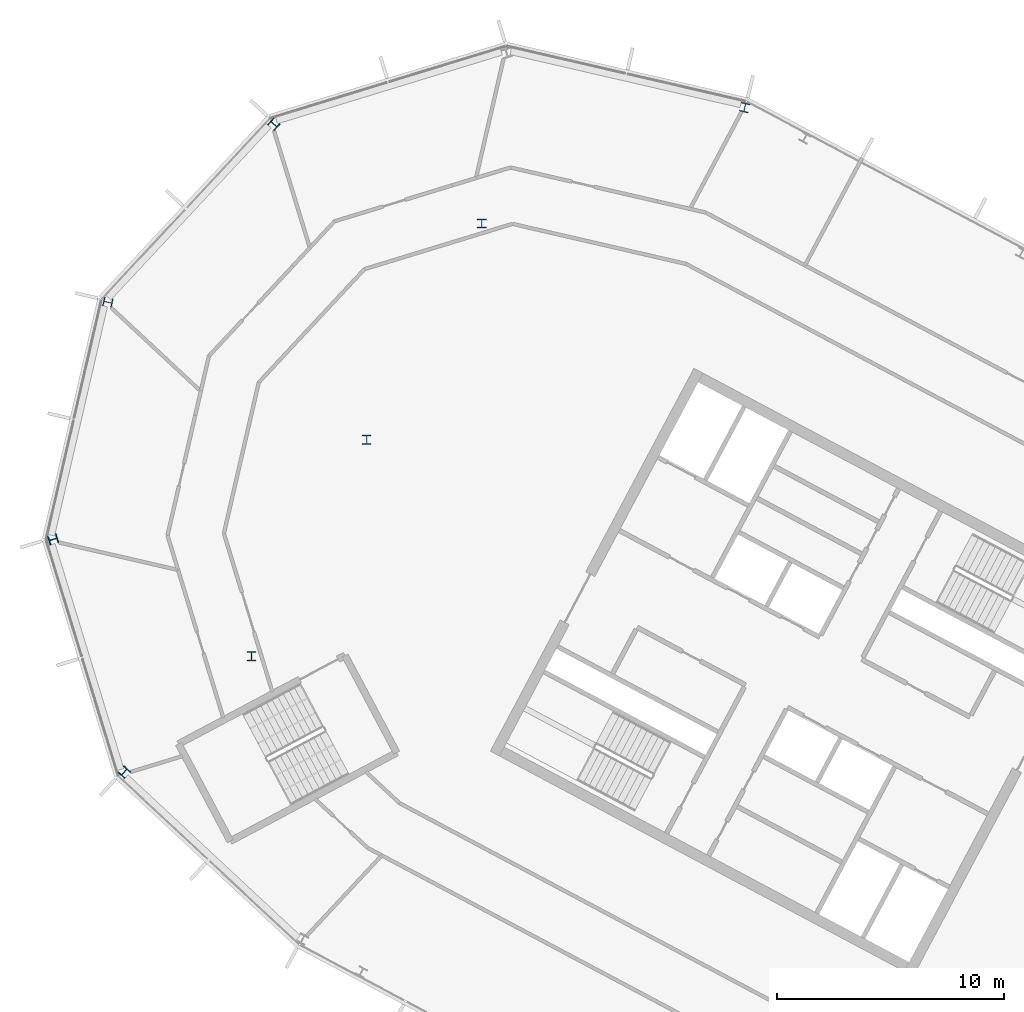
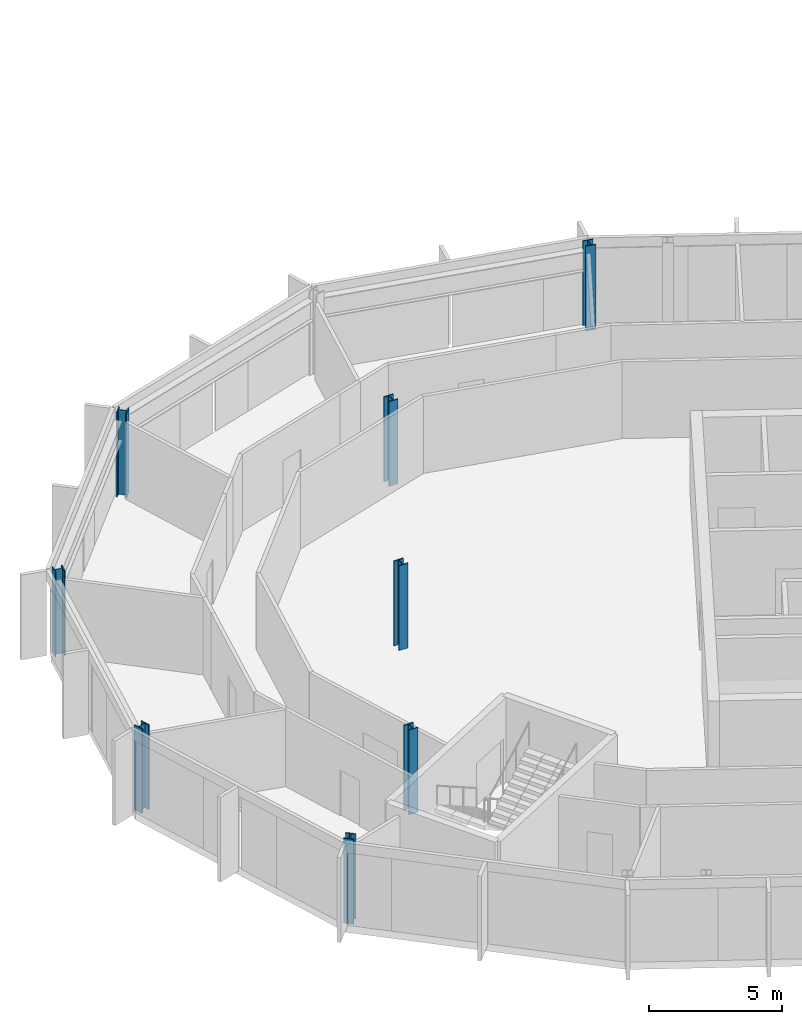
# One storey, part 3 of 26: 8 columns.
"""IFC4 building model written with IfcOpenShell, lengths in metres."""

from ifc_helpers import new_model, si_unit, direction, frame, origin, origin_2d, place, context, subcontext, project, spatial, i_section, extrude, material, material_profile, profile_set, type_object, element, save


model = new_model("IFC4")

# Units and contexts
model_context = context("Model", 3, precision=1e-05, world=origin(), true_north=direction((0.0, 1.0)))
body_context = subcontext(model_context, "Body", "Model", "MODEL_VIEW")
ifc_project = project(units=[si_unit("LENGTHUNIT", "METRE"), si_unit("AREAUNIT", "SQUARE_METRE"), si_unit("VOLUMEUNIT", "CUBIC_METRE"), si_unit("PLANEANGLEUNIT", "RADIAN"), si_unit("MASSUNIT", "GRAM", prefix="KILO")], contexts=[model_context])

# Site, building, storey
site_placement = place(None, origin())
site = spatial("IfcSite", under=ifc_project, at=site_placement, CompositionType="ELEMENT")
building_placement = place(site_placement, origin())
building = spatial("IfcBuilding", under=site, at=building_placement, Name="Cormorant Relay Tower", CompositionType="ELEMENT")
storey_placement = place(building_placement, frame((0.0, 0.0, 312.60009765625)))
storey = spatial("IfcBuildingStorey", under=building, at=storey_placement, Name="L71", CompositionType="ELEMENT", Elevation=312.60009765625)

# Columns
ifc_material = material(Name="Steel ASTM A992 (Fy 345 MPa)", Category="steel")
ifc_material_profile = material_profile(ifc_material, i_section(OverallWidth=0.40380859375, OverallDepth=0.406494140625, WebThickness=0.027099609375, FlangeThickness=0.043701171875, FilletRadius=0.01513671875, at=origin_2d()), Name="W360x347")
ifc_profile_set = profile_set([ifc_material_profile], Name="Steel ASTM A992 (Fy 345 MPa)")
column_type = type_object("IfcColumnType", Name="Column W360x347", PredefinedType="COLUMN", material=ifc_profile_set)
for number, where, z_axis, x_axis, name in (
    (1, (-57.2958984375, 10.152099609375, 0.0), (0.0, 0.0, 1.0), (0.731353701619, -0.681998360062, 0.0), "Column L71-022"),
    (2, (-51.68994140625, 15.251953125, 0.0), (0.0, 0.0, 1.0), (1.0, 0.0, 0.0), "Column L71-026"),
    (3, (-60.429931640625, 20.403076171875, 0.0), (0.0, 0.0, 1.0), (0.292371704723, -0.956304755963, 0.0), "Column L71-028"),
    (4, (-46.6201171875, 24.7880859375, 0.0), (0.0, 0.0, 1.0), (1.0, 0.0, 0.0), "Column L71-030"),
    (5, (-58.01806640625, 30.84912109375, 0.0), (0.0, 0.0, 1.0), (-0.224951054344, -0.974370064785, 0.0), "Column L71-034"),
    (6, (-41.549072265625, 34.323974609375, 0.0), (0.0, 0.0, 1.0), (1.0, 0.0, 0.0), "Column L71-037"),
    (7, (-50.70703125, 38.68896484375, 0.0), (0.0, 0.0, 1.0), (-0.681998360062, -0.731353701619, 0.0), "Column L71-041"),
    (8, (-29.965087890625, 39.425048828125, 0.0), (0.0, 0.0, 1.0), (-0.974370064785, 0.224951054344, 0.0), "Column L71-042"),
):
    element("IfcColumn", number, at=place(storey_placement, frame(where, z_axis=z_axis, x_axis=x_axis)), inside=storey, type_object=column_type, Name=name, PredefinedType="COLUMN", context=body_context, shape_type="SweptSolid", body=[
        extrude(i_section(OverallWidth=0.40380859375, OverallDepth=0.406494140625, WebThickness=0.027099609375, FlangeThickness=0.043701171875, FilletRadius=0.01513671875, at=origin_2d()), origin(), (0.0, 0.0, 1.0), 3.89990234375),
    ])

save(model, "model.ifc")
